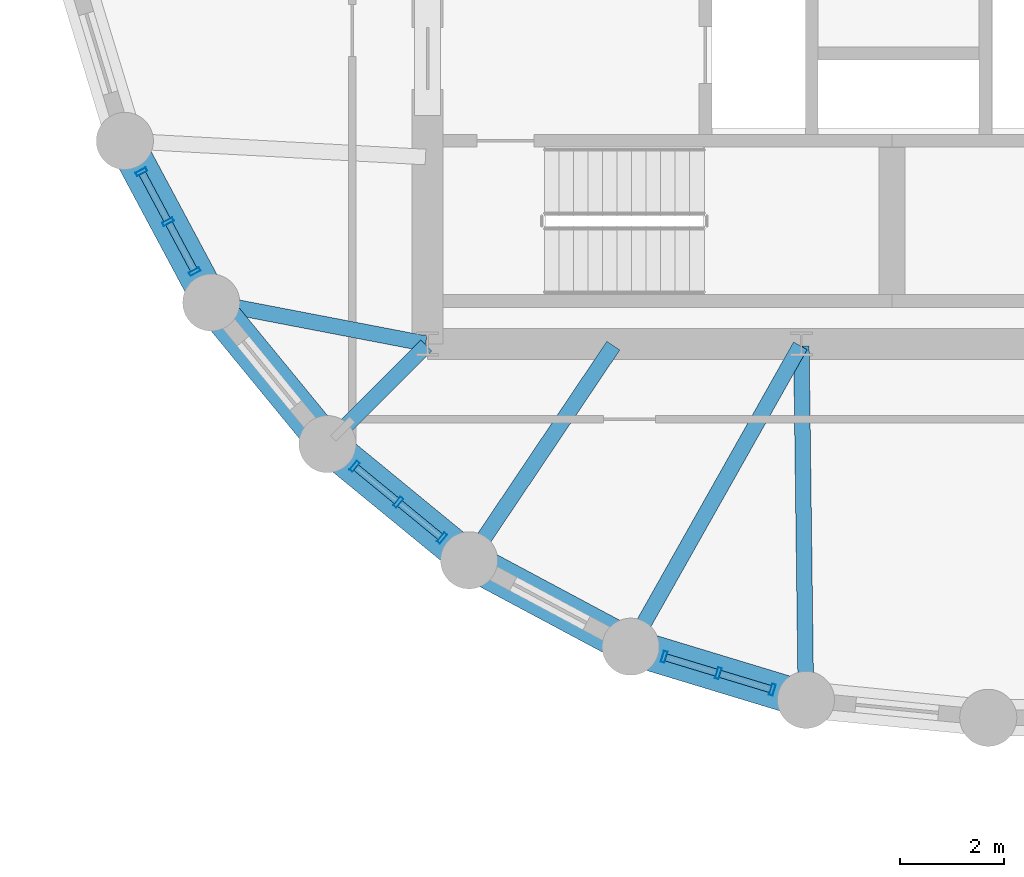
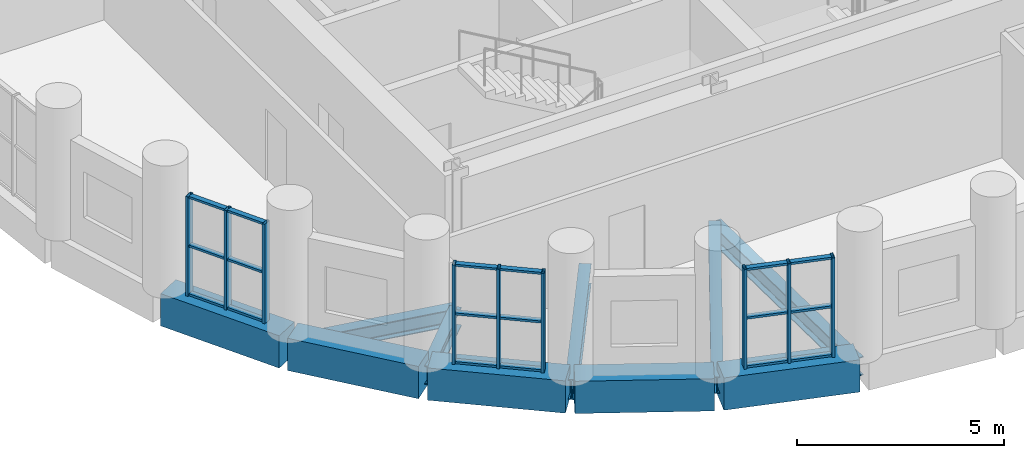
# One storey, part 2 of 12: 27 members, 10 beams, 3 elements without a shape of their own.
"""IFC4 building model written with IfcOpenShell, lengths in metres."""

from ifc_helpers import new_model, si_unit, direction, frame, origin, origin_2d, place, context, subcontext, project, spatial, rectangle, hollow_rectangle, i_section, extrude, material, layer, layer_set, material_profile, profile_set, type_object, element, aggregate, save


model = new_model("IFC4")

# Units and contexts
model_context = context("Model", 3, precision=1e-05, world=origin(), true_north=direction((0.0, 1.0)))
body_context = subcontext(model_context, "Body", "Model", "MODEL_VIEW")
ifc_project = project(units=[si_unit("LENGTHUNIT", "METRE"), si_unit("AREAUNIT", "SQUARE_METRE"), si_unit("VOLUMEUNIT", "CUBIC_METRE"), si_unit("PLANEANGLEUNIT", "RADIAN"), si_unit("MASSUNIT", "GRAM", prefix="KILO")], contexts=[model_context])

# Site, building, storey
site_placement = place(None, origin())
site = spatial("IfcSite", under=ifc_project, at=site_placement, CompositionType="ELEMENT")
building_placement = place(site_placement, origin())
building = spatial("IfcBuilding", under=site, at=building_placement, Name="Solnavia Interchange Tower", CompositionType="ELEMENT")
storey_placement = place(building_placement, frame((0.0, 0.0, 27.89990234375)))
storey = spatial("IfcBuildingStorey", under=building, at=storey_placement, Name="L06", CompositionType="ELEMENT", Elevation=27.89990234375)

# Beams
ifc_material_1 = material(Name="Steel S460", Category="steel")
ifc_material_profile_1 = material_profile(ifc_material_1, i_section(OverallWidth=0.300048828125, OverallDepth=0.550048828125, WebThickness=0.014892578125, FlangeThickness=0.029052734375, FilletRadius=0.027099609375, at=origin_2d()), Name="HEB 550")
ifc_profile_set_1 = profile_set([ifc_material_profile_1], Name="Steel S460")
beam_type_1 = type_object("IfcBeamType", Name="Beam-Girder-HEB550", PredefinedType="BEAM", material=ifc_profile_set_1)
beam_1_placement = place(storey_placement, frame((12.528564453125, 8.9287109375, -0.52490234375), z_axis=(0.707106781187, 0.707106781187, 0.0), x_axis=(-0.707106781187, 0.707106781187, 0.0)))
element("IfcBeam", 1, at=beam_1_placement, inside=storey, type_object=beam_type_1, Name="GRD-L06-DR25 Drum radial floor girder", PredefinedType="BEAM", context=body_context, shape_type="SweptSolid", body=[
    extrude(i_section(OverallWidth=0.300048828125, OverallDepth=0.550048828125, WebThickness=0.014892578125, FlangeThickness=0.029052734375, FilletRadius=0.027099609375, at=origin_2d()), origin(), (0.0, 0.0, 1.0), 2.6064453125),
])
beam_2_placement = place(storey_placement, frame((21.68701171875, 4.02587890625, -0.52490234375), z_axis=(-0.01283293513, 0.999917654498, 0.0), x_axis=(-0.999917654498, -0.01283293513, 0.0)))
element("IfcBeam", 2, at=beam_2_placement, inside=storey, type_object=beam_type_1, Name="GRD-L06-DR28 Drum radial floor girder", PredefinedType="BEAM", context=body_context, shape_type="SweptSolid", body=[
    extrude(i_section(OverallWidth=0.300048828125, OverallDepth=0.550048828125, WebThickness=0.014892578125, FlangeThickness=0.029052734375, FilletRadius=0.027099609375, at=origin_2d()), origin(), (0.0, 0.0, 1.0), 6.734619140625),
])
ifc_material_2 = material(Name="Steel S355", Category="steel")
ifc_material_profile_2 = material_profile(ifc_material_2, i_section(OverallWidth=0.300048828125, OverallDepth=0.489990234375, WebThickness=0.011962890625, FlangeThickness=0.02294921875, FilletRadius=0.027099609375, at=origin_2d()), Name="HEA 500")
ifc_profile_set_2 = profile_set([ifc_material_profile_2], Name="Steel S355")
beam_type_2 = type_object("IfcBeamType", Name="Beam-Primary-HEA500", PredefinedType="BEAM", material=ifc_profile_set_2)
beam_3_placement = place(storey_placement, frame((10.3125, 11.5849609375, -0.494873046875), z_axis=(0.982057527796, -0.188581579428, 0.0), x_axis=(0.188581579428, 0.982057527796, 0.0)))
element("IfcBeam", 3, at=beam_3_placement, inside=storey, type_object=beam_type_2, Name="GRD-L06-DR24 Drum radial floor girder", PredefinedType="BEAM", context=body_context, shape_type="SweptSolid", body=[
    extrude(i_section(OverallWidth=0.300048828125, OverallDepth=0.489990234375, WebThickness=0.011962890625, FlangeThickness=0.02294921875, FilletRadius=0.027099609375, at=origin_2d()), origin(), (0.0, 0.0, 1.0), 4.1220703125),
])
beam_4_placement = place(storey_placement, frame((18.351318359375, 5.039794921875, -0.494873046875), z_axis=(0.491243158486, 0.871022479182, 0.0), x_axis=(-0.871022479182, 0.491243158486, 0.0)))
element("IfcBeam", 4, at=beam_4_placement, inside=storey, type_object=beam_type_2, Name="GRD-L06-DR27 Drum radial floor girder", PredefinedType="BEAM", context=body_context, shape_type="SweptSolid", body=[
    extrude(i_section(OverallWidth=0.300048828125, OverallDepth=0.489990234375, WebThickness=0.011962890625, FlangeThickness=0.02294921875, FilletRadius=0.027099609375, at=origin_2d()), origin(), (0.0, 0.0, 1.0), 6.5732421875),
])
ifc_material_profile_3 = material_profile(ifc_material_2, i_section(OverallWidth=0.300048828125, OverallDepth=0.590087890625, WebThickness=0.012939453125, FlangeThickness=0.02490234375, FilletRadius=0.027099609375, at=origin_2d()), Name="HEA 600")
ifc_profile_set_3 = profile_set([ifc_material_profile_3], Name="Steel S355")
beam_type_3 = type_object("IfcBeamType", Name="Beam-Primary-HEA600", PredefinedType="BEAM", material=ifc_profile_set_3)
beam_5_placement = place(storey_placement, frame((15.24462890625, 6.700439453125, -0.544921875), z_axis=(0.557835474219, 0.829951555033, 0.0), x_axis=(-0.829951555033, 0.557835474219, 0.0)))
element("IfcBeam", 5, at=beam_5_placement, inside=storey, type_object=beam_type_3, Name="GRD-L06-DR26 Drum radial floor girder", PredefinedType="BEAM", context=body_context, shape_type="SweptSolid", body=[
    extrude(i_section(OverallWidth=0.300048828125, OverallDepth=0.590087890625, WebThickness=0.012939453125, FlangeThickness=0.02490234375, FilletRadius=0.027099609375, at=origin_2d()), origin(), (0.0, 0.0, 1.0), 4.899658203125),
])
ifc_material_3 = material(Name="Concrete C50/60", Category="concrete")
ifc_material_profile_4 = material_profile(ifc_material_3, rectangle(XDim=0.699951171875, YDim=0.949951171875, at=origin_2d()), Name="RC 700x950")
ifc_profile_set_4 = profile_set([ifc_material_profile_4], Name="Concrete C50/60")
beam_type_4 = type_object("IfcBeamType", Name="Beam-Spandrel-RC700x950", PredefinedType="SPANDREL", material=ifc_profile_set_4)
beam_6_placement = place(storey_placement, frame((8.607666015625, 14.6416015625, -0.474853515625), z_axis=(0.471509422952, -0.881861023102, 0.0), x_axis=(0.881861023102, 0.471509422952, 0.0)))
element("IfcBeam", 6, at=beam_6_placement, inside=storey, type_object=beam_type_4, Name="SPB-L06-03 Framed-tube perimeter spandrel beam", PredefinedType="SPANDREL", context=body_context, shape_type="SweptSolid", body=[
    extrude(rectangle(XDim=0.699951171875, YDim=0.949951171875, at=origin_2d()), origin(), (0.0, 0.0, 1.0), 3.369140625),
])
for number, where, z_axis, x_axis, name in (
    (7, (10.28466796875, 11.5380859375, -0.474853515625), (0.634298841675, -0.773087950656, 0.0), (0.773087950656, 0.634298841675, 0.0), "SPB-L06-04 Framed-tube perimeter spandrel beam"),
    (8, (12.53369140625, 8.8212890625, -0.474853515625), (0.773152644452, -0.634219984214, 0.0), (0.634219984214, 0.773152644452, 0.0), "SPB-L06-05 Framed-tube perimeter spandrel beam"),
):
    element("IfcBeam", number, at=place(storey_placement, frame(where, z_axis=z_axis, x_axis=x_axis)), inside=storey, type_object=beam_type_4, Name=name, PredefinedType="SPANDREL", context=body_context, shape_type="SweptSolid", body=[
        extrude(rectangle(XDim=0.699951171875, YDim=0.949951171875, at=origin_2d()), origin(), (0.0, 0.0, 1.0), 3.36865234375),
    ])
beam_7_placement = place(storey_placement, frame((15.2705078125, 6.59619140625, -0.474853515625), z_axis=(0.881875044348, -0.47148319817, 0.0), x_axis=(0.47148319817, 0.881875044348, 0.0)))
element("IfcBeam", 9, at=beam_7_placement, inside=storey, type_object=beam_type_4, Name="SPB-L06-06 Framed-tube perimeter spandrel beam", PredefinedType="SPANDREL", context=body_context, shape_type="SweptSolid", body=[
    extrude(rectangle(XDim=0.699951171875, YDim=0.949951171875, at=origin_2d()), origin(), (0.0, 0.0, 1.0), 3.368896484375),
])
beam_8_placement = place(storey_placement, frame((18.388671875, 4.94677734375, -0.474853515625), z_axis=(0.956943884494, -0.290272978297, 0.0), x_axis=(0.290272978297, 0.956943884494, 0.0)))
element("IfcBeam", 10, at=beam_8_placement, inside=storey, type_object=beam_type_4, Name="SPB-L06-07 Framed-tube perimeter spandrel beam", PredefinedType="SPANDREL", context=body_context, shape_type="SweptSolid", body=[
    extrude(rectangle(XDim=0.699951171875, YDim=0.949951171875, at=origin_2d()), origin(), (0.0, 0.0, 1.0), 3.36767578125),
])

# Curtain wall, members
ifc_material_4 = material(Name="Aluminium Alloy 6063-T6", Category="aluminium")
ifc_layer = layer(ifc_material_4, 0.239990234375)
ifc_layer_set = layer_set([ifc_layer], Name="Aluminium Alloy 6063-T6")
curtain_wall_type = type_object("IfcCurtainWallType", Name="CurtainWall-Drum-CTW2", PredefinedType="NOTDEFINED", material=ifc_layer_set)
curtain_wall_1_placement = place(storey_placement, origin())
curtain_wall_1 = element("IfcCurtainWall", 11, at=curtain_wall_1_placement, inside=storey, type_object=curtain_wall_type, Name="CTW-L06-D59 CTW-2 curtain wall", PredefinedType="NOTDEFINED")
ifc_material_profile_5 = material_profile(ifc_material_4, hollow_rectangle(XDim=0.074951171875, YDim=0.219970703125, WallThickness=0.0048828125, at=origin_2d()), Name="ALU 220x75x5")
ifc_profile_set_5 = profile_set([ifc_material_profile_5], Name="Aluminium Alloy 6063-T6")
member_type_1 = type_object("IfcMemberType", Name="CW-Mullion-CWM-2", PredefinedType="MULLION", material=ifc_profile_set_5)
member_1_placement = place(storey_placement, frame((8.88818359375, 14.11669921875, 0.0), z_axis=(0.0, 0.0, 1.0), x_axis=(0.471536719402, -0.881846427818, 0.0)))
member_1 = element("IfcMember", 12, at=member_1_placement, type_object=member_type_1, Name="CTW-2 mullion 1", PredefinedType="MULLION", context=body_context, shape_type="SweptSolid", body=[
    extrude(hollow_rectangle(XDim=0.074951171875, YDim=0.219970703125, WallThickness=0.0048828125, at=origin_2d()), origin(), (0.0, 0.0, 1.0), 2.93017578125),
])
member_2_placement = place(storey_placement, frame((9.402099609375, 13.156005859375, 0.0), z_axis=(0.0, 0.0, 1.0), x_axis=(0.471536719402, -0.881846427818, 0.0)))
member_2 = element("IfcMember", 13, at=member_2_placement, type_object=member_type_1, Name="CTW-2 mullion 2", PredefinedType="MULLION", context=body_context, shape_type="SweptSolid", body=[
    extrude(hollow_rectangle(XDim=0.074951171875, YDim=0.219970703125, WallThickness=0.0048828125, at=origin_2d()), origin(), (0.0, 0.0, 1.0), 2.93017578125),
])
member_3_placement = place(storey_placement, frame((9.915771484375, 12.1953125, 0.0), z_axis=(0.0, 0.0, 1.0), x_axis=(0.471536719402, -0.881846427818, 0.0)))
member_3 = element("IfcMember", 14, at=member_3_placement, type_object=member_type_1, Name="CTW-2 mullion 3", PredefinedType="MULLION", context=body_context, shape_type="SweptSolid", body=[
    extrude(hollow_rectangle(XDim=0.074951171875, YDim=0.219970703125, WallThickness=0.0048828125, at=origin_2d()), origin(), (0.0, 0.0, 1.0), 2.93017578125),
])

curtain_wall_2_placement = place(storey_placement, origin())
curtain_wall_2 = element("IfcCurtainWall", 15, at=curtain_wall_2_placement, inside=storey, type_object=curtain_wall_type, Name="CTW-L06-D61 CTW-2 curtain wall", PredefinedType="NOTDEFINED")
member_4_placement = place(storey_placement, frame((12.993896484375, 8.44384765625, 0.0), z_axis=(0.0, 0.0, 1.0), x_axis=(0.773094572227, -0.634290771172, 0.0)))
member_4 = element("IfcMember", 16, at=member_4_placement, type_object=member_type_1, Name="CTW-2 mullion 1", PredefinedType="MULLION", context=body_context, shape_type="SweptSolid", body=[
    extrude(hollow_rectangle(XDim=0.074951171875, YDim=0.219970703125, WallThickness=0.0048828125, at=origin_2d()), origin(), (0.0, 0.0, 1.0), 2.93017578125),
])
member_5_placement = place(storey_placement, frame((13.8359375, 7.7529296875, 0.0), z_axis=(0.0, 0.0, 1.0), x_axis=(0.773094572227, -0.634290771172, 0.0)))
member_5 = element("IfcMember", 17, at=member_5_placement, type_object=member_type_1, Name="CTW-2 mullion 2", PredefinedType="MULLION", context=body_context, shape_type="SweptSolid", body=[
    extrude(hollow_rectangle(XDim=0.074951171875, YDim=0.219970703125, WallThickness=0.0048828125, at=origin_2d()), origin(), (0.0, 0.0, 1.0), 2.93017578125),
])
member_6_placement = place(storey_placement, frame((14.67822265625, 7.06201171875, 0.0), z_axis=(0.0, 0.0, 1.0), x_axis=(0.773094572227, -0.634290771172, 0.0)))
member_6 = element("IfcMember", 18, at=member_6_placement, type_object=member_type_1, Name="CTW-2 mullion 3", PredefinedType="MULLION", context=body_context, shape_type="SweptSolid", body=[
    extrude(hollow_rectangle(XDim=0.074951171875, YDim=0.219970703125, WallThickness=0.0048828125, at=origin_2d()), origin(), (0.0, 0.0, 1.0), 2.93017578125),
])

curtain_wall_3_placement = place(storey_placement, origin())
curtain_wall_3 = element("IfcCurtainWall", 19, at=curtain_wall_3_placement, inside=storey, type_object=curtain_wall_type, Name="CTW-L06-D63 CTW-2 curtain wall", PredefinedType="NOTDEFINED")
member_7_placement = place(storey_placement, frame((18.9580078125, 4.774169921875, 0.0), z_axis=(0.0, 0.0, 1.0), x_axis=(0.956934759739, -0.290303058206, 0.0)))
member_7 = element("IfcMember", 20, at=member_7_placement, type_object=member_type_1, Name="CTW-2 mullion 1", PredefinedType="MULLION", context=body_context, shape_type="SweptSolid", body=[
    extrude(hollow_rectangle(XDim=0.074951171875, YDim=0.219970703125, WallThickness=0.0048828125, at=origin_2d()), origin(), (0.0, 0.0, 1.0), 2.93017578125),
])
member_8_placement = place(storey_placement, frame((20.0, 4.4580078125, 0.0), z_axis=(0.0, 0.0, 1.0), x_axis=(0.956934759739, -0.290303058206, 0.0)))
member_8 = element("IfcMember", 21, at=member_8_placement, type_object=member_type_1, Name="CTW-2 mullion 2", PredefinedType="MULLION", context=body_context, shape_type="SweptSolid", body=[
    extrude(hollow_rectangle(XDim=0.074951171875, YDim=0.219970703125, WallThickness=0.0048828125, at=origin_2d()), origin(), (0.0, 0.0, 1.0), 2.93017578125),
])
member_9_placement = place(storey_placement, frame((21.0419921875, 4.141845703125, 0.0), z_axis=(0.0, 0.0, 1.0), x_axis=(0.956934759739, -0.290303058206, 0.0)))
member_9 = element("IfcMember", 22, at=member_9_placement, type_object=member_type_1, Name="CTW-2 mullion 3", PredefinedType="MULLION", context=body_context, shape_type="SweptSolid", body=[
    extrude(hollow_rectangle(XDim=0.074951171875, YDim=0.219970703125, WallThickness=0.0048828125, at=origin_2d()), origin(), (0.0, 0.0, 1.0), 2.93017578125),
])

# Member
ifc_material_profile_6 = material_profile(ifc_material_4, hollow_rectangle(XDim=0.06494140625, YDim=0.139892578125, WallThickness=0.00390625, at=origin_2d()), Name="ALU 140x65x4")
ifc_profile_set_6 = profile_set([ifc_material_profile_6], Name="Aluminium Alloy 6063-T6")
member_type_2 = type_object("IfcMemberType", Name="CW-Transom-CWT-2", PredefinedType="USERDEFINED", material=ifc_profile_set_6)
member_10_placement = place(storey_placement, frame((8.906005859375, 14.083740234375, 0.03271484375), z_axis=(0.471399859925, -0.88191959501, 0.0), x_axis=(0.0, 0.0, 1.0)))
member_10 = element("IfcMember", 23, at=member_10_placement, type_object=member_type_2, Name="CTW-2 transom 1.1", ObjectType="TRANSOM", PredefinedType="USERDEFINED", context=body_context, shape_type="SweptSolid", body=[
    extrude(hollow_rectangle(XDim=0.06494140625, YDim=0.139892578125, WallThickness=0.00390625, at=origin_2d()), origin(), (0.0, 0.0, 1.0), 1.0146484375),
])

member_11_placement = place(storey_placement, frame((8.906005859375, 14.083740234375, 1.465087890625), z_axis=(0.471399859925, -0.88191959501, 0.0), x_axis=(0.0, 0.0, 1.0)))
member_11 = element("IfcMember", 24, at=member_11_placement, type_object=member_type_2, Name="CTW-2 transom 1.2", ObjectType="TRANSOM", PredefinedType="USERDEFINED", context=body_context, shape_type="SweptSolid", body=[
    extrude(hollow_rectangle(XDim=0.06494140625, YDim=0.139892578125, WallThickness=0.00390625, at=origin_2d()), origin(), (0.0, 0.0, 1.0), 1.0146484375),
])

member_12_placement = place(storey_placement, frame((8.906005859375, 14.083740234375, 2.897705078125), z_axis=(0.471399859925, -0.88191959501, 0.0), x_axis=(0.0, 0.0, 1.0)))
member_12 = element("IfcMember", 25, at=member_12_placement, type_object=member_type_2, Name="CTW-2 transom 1.3", ObjectType="TRANSOM", PredefinedType="USERDEFINED", context=body_context, shape_type="SweptSolid", body=[
    extrude(hollow_rectangle(XDim=0.06494140625, YDim=0.139892578125, WallThickness=0.00390625, at=origin_2d()), origin(), (0.0, 0.0, 1.0), 1.0146484375),
])

member_13_placement = place(storey_placement, frame((9.419677734375, 13.123046875, 0.03271484375), z_axis=(0.471399859925, -0.88191959501, 0.0), x_axis=(0.0, 0.0, 1.0)))
member_13 = element("IfcMember", 26, at=member_13_placement, type_object=member_type_2, Name="CTW-2 transom 2.1", ObjectType="TRANSOM", PredefinedType="USERDEFINED", context=body_context, shape_type="SweptSolid", body=[
    extrude(hollow_rectangle(XDim=0.06494140625, YDim=0.139892578125, WallThickness=0.00390625, at=origin_2d()), origin(), (0.0, 0.0, 1.0), 1.0146484375),
])

member_14_placement = place(storey_placement, frame((9.419677734375, 13.123046875, 1.465087890625), z_axis=(0.471399859925, -0.88191959501, 0.0), x_axis=(0.0, 0.0, 1.0)))
member_14 = element("IfcMember", 27, at=member_14_placement, type_object=member_type_2, Name="CTW-2 transom 2.2", ObjectType="TRANSOM", PredefinedType="USERDEFINED", context=body_context, shape_type="SweptSolid", body=[
    extrude(hollow_rectangle(XDim=0.06494140625, YDim=0.139892578125, WallThickness=0.00390625, at=origin_2d()), origin(), (0.0, 0.0, 1.0), 1.0146484375),
])

member_15_placement = place(storey_placement, frame((9.419677734375, 13.123046875, 2.897705078125), z_axis=(0.471399859925, -0.88191959501, 0.0), x_axis=(0.0, 0.0, 1.0)))
member_15 = element("IfcMember", 28, at=member_15_placement, type_object=member_type_2, Name="CTW-2 transom 2.3", ObjectType="TRANSOM", PredefinedType="USERDEFINED", context=body_context, shape_type="SweptSolid", body=[
    extrude(hollow_rectangle(XDim=0.06494140625, YDim=0.139892578125, WallThickness=0.00390625, at=origin_2d()), origin(), (0.0, 0.0, 1.0), 1.0146484375),
])

aggregate(curtain_wall_1, [member_1, member_2, member_3, member_10, member_11, member_12, member_13, member_14, member_15])

member_16_placement = place(storey_placement, frame((13.02294921875, 8.420166015625, 0.03271484375), z_axis=(0.773130870672, -0.634246526844, 0.0), x_axis=(0.0, 0.0, 1.0)))
member_16 = element("IfcMember", 29, at=member_16_placement, type_object=member_type_2, Name="CTW-2 transom 1.1", ObjectType="TRANSOM", PredefinedType="USERDEFINED", context=body_context, shape_type="SweptSolid", body=[
    extrude(hollow_rectangle(XDim=0.06494140625, YDim=0.139892578125, WallThickness=0.00390625, at=origin_2d()), origin(), (0.0, 0.0, 1.0), 1.014404296875),
])

member_17_placement = place(storey_placement, frame((13.02294921875, 8.420166015625, 1.465087890625), z_axis=(0.773130870672, -0.634246526844, 0.0), x_axis=(0.0, 0.0, 1.0)))
member_17 = element("IfcMember", 30, at=member_17_placement, type_object=member_type_2, Name="CTW-2 transom 1.2", ObjectType="TRANSOM", PredefinedType="USERDEFINED", context=body_context, shape_type="SweptSolid", body=[
    extrude(hollow_rectangle(XDim=0.06494140625, YDim=0.139892578125, WallThickness=0.00390625, at=origin_2d()), origin(), (0.0, 0.0, 1.0), 1.014404296875),
])

member_18_placement = place(storey_placement, frame((13.02294921875, 8.420166015625, 2.897705078125), z_axis=(0.773130870672, -0.634246526844, 0.0), x_axis=(0.0, 0.0, 1.0)))
member_18 = element("IfcMember", 31, at=member_18_placement, type_object=member_type_2, Name="CTW-2 transom 1.3", ObjectType="TRANSOM", PredefinedType="USERDEFINED", context=body_context, shape_type="SweptSolid", body=[
    extrude(hollow_rectangle(XDim=0.06494140625, YDim=0.139892578125, WallThickness=0.00390625, at=origin_2d()), origin(), (0.0, 0.0, 1.0), 1.014404296875),
])

member_19_placement = place(storey_placement, frame((13.864990234375, 7.729248046875, 0.03271484375), z_axis=(0.773130870672, -0.634246526844, 0.0), x_axis=(0.0, 0.0, 1.0)))
member_19 = element("IfcMember", 32, at=member_19_placement, type_object=member_type_2, Name="CTW-2 transom 2.1", ObjectType="TRANSOM", PredefinedType="USERDEFINED", context=body_context, shape_type="SweptSolid", body=[
    extrude(hollow_rectangle(XDim=0.06494140625, YDim=0.139892578125, WallThickness=0.00390625, at=origin_2d()), origin(), (0.0, 0.0, 1.0), 1.014404296875),
])

member_20_placement = place(storey_placement, frame((13.864990234375, 7.729248046875, 1.465087890625), z_axis=(0.773130870672, -0.634246526844, 0.0), x_axis=(0.0, 0.0, 1.0)))
member_20 = element("IfcMember", 33, at=member_20_placement, type_object=member_type_2, Name="CTW-2 transom 2.2", ObjectType="TRANSOM", PredefinedType="USERDEFINED", context=body_context, shape_type="SweptSolid", body=[
    extrude(hollow_rectangle(XDim=0.06494140625, YDim=0.139892578125, WallThickness=0.00390625, at=origin_2d()), origin(), (0.0, 0.0, 1.0), 1.014404296875),
])

member_21_placement = place(storey_placement, frame((13.864990234375, 7.729248046875, 2.897705078125), z_axis=(0.773130870672, -0.634246526844, 0.0), x_axis=(0.0, 0.0, 1.0)))
member_21 = element("IfcMember", 34, at=member_21_placement, type_object=member_type_2, Name="CTW-2 transom 2.3", ObjectType="TRANSOM", PredefinedType="USERDEFINED", context=body_context, shape_type="SweptSolid", body=[
    extrude(hollow_rectangle(XDim=0.06494140625, YDim=0.139892578125, WallThickness=0.00390625, at=origin_2d()), origin(), (0.0, 0.0, 1.0), 1.014404296875),
])

aggregate(curtain_wall_2, [member_4, member_5, member_6, member_16, member_17, member_18, member_19, member_20, member_21])

member_22_placement = place(storey_placement, frame((18.993896484375, 4.76318359375, 0.03271484375), z_axis=(0.956973757237, -0.290174478478, 0.0), x_axis=(0.0, 0.0, 1.0)))
member_22 = element("IfcMember", 35, at=member_22_placement, type_object=member_type_2, Name="CTW-2 transom 1.1", ObjectType="TRANSOM", PredefinedType="USERDEFINED", context=body_context, shape_type="SweptSolid", body=[
    extrude(hollow_rectangle(XDim=0.06494140625, YDim=0.139892578125, WallThickness=0.00390625, at=origin_2d()), origin(), (0.0, 0.0, 1.0), 1.013916015625),
])

member_23_placement = place(storey_placement, frame((18.993896484375, 4.76318359375, 1.465087890625), z_axis=(0.956973757237, -0.290174478478, 0.0), x_axis=(0.0, 0.0, 1.0)))
member_23 = element("IfcMember", 36, at=member_23_placement, type_object=member_type_2, Name="CTW-2 transom 1.2", ObjectType="TRANSOM", PredefinedType="USERDEFINED", context=body_context, shape_type="SweptSolid", body=[
    extrude(hollow_rectangle(XDim=0.06494140625, YDim=0.139892578125, WallThickness=0.00390625, at=origin_2d()), origin(), (0.0, 0.0, 1.0), 1.013916015625),
])

member_24_placement = place(storey_placement, frame((18.993896484375, 4.76318359375, 2.897705078125), z_axis=(0.956973757237, -0.290174478478, 0.0), x_axis=(0.0, 0.0, 1.0)))
member_24 = element("IfcMember", 37, at=member_24_placement, type_object=member_type_2, Name="CTW-2 transom 1.3", ObjectType="TRANSOM", PredefinedType="USERDEFINED", context=body_context, shape_type="SweptSolid", body=[
    extrude(hollow_rectangle(XDim=0.06494140625, YDim=0.139892578125, WallThickness=0.00390625, at=origin_2d()), origin(), (0.0, 0.0, 1.0), 1.013916015625),
])

member_25_placement = place(storey_placement, frame((20.035888671875, 4.447021484375, 0.03271484375), z_axis=(0.956973757237, -0.290174478478, 0.0), x_axis=(0.0, 0.0, 1.0)))
member_25 = element("IfcMember", 38, at=member_25_placement, type_object=member_type_2, Name="CTW-2 transom 2.1", ObjectType="TRANSOM", PredefinedType="USERDEFINED", context=body_context, shape_type="SweptSolid", body=[
    extrude(hollow_rectangle(XDim=0.06494140625, YDim=0.139892578125, WallThickness=0.00390625, at=origin_2d()), origin(), (0.0, 0.0, 1.0), 1.013916015625),
])

member_26_placement = place(storey_placement, frame((20.035888671875, 4.447021484375, 1.465087890625), z_axis=(0.956973757237, -0.290174478478, 0.0), x_axis=(0.0, 0.0, 1.0)))
member_26 = element("IfcMember", 39, at=member_26_placement, type_object=member_type_2, Name="CTW-2 transom 2.2", ObjectType="TRANSOM", PredefinedType="USERDEFINED", context=body_context, shape_type="SweptSolid", body=[
    extrude(hollow_rectangle(XDim=0.06494140625, YDim=0.139892578125, WallThickness=0.00390625, at=origin_2d()), origin(), (0.0, 0.0, 1.0), 1.013916015625),
])

member_27_placement = place(storey_placement, frame((20.035888671875, 4.447021484375, 2.897705078125), z_axis=(0.956973757237, -0.290174478478, 0.0), x_axis=(0.0, 0.0, 1.0)))
member_27 = element("IfcMember", 40, at=member_27_placement, type_object=member_type_2, Name="CTW-2 transom 2.3", ObjectType="TRANSOM", PredefinedType="USERDEFINED", context=body_context, shape_type="SweptSolid", body=[
    extrude(hollow_rectangle(XDim=0.06494140625, YDim=0.139892578125, WallThickness=0.00390625, at=origin_2d()), origin(), (0.0, 0.0, 1.0), 1.013916015625),
])

aggregate(curtain_wall_3, [member_7, member_8, member_9, member_22, member_23, member_24, member_25, member_26, member_27])

save(model, "model.ifc")
